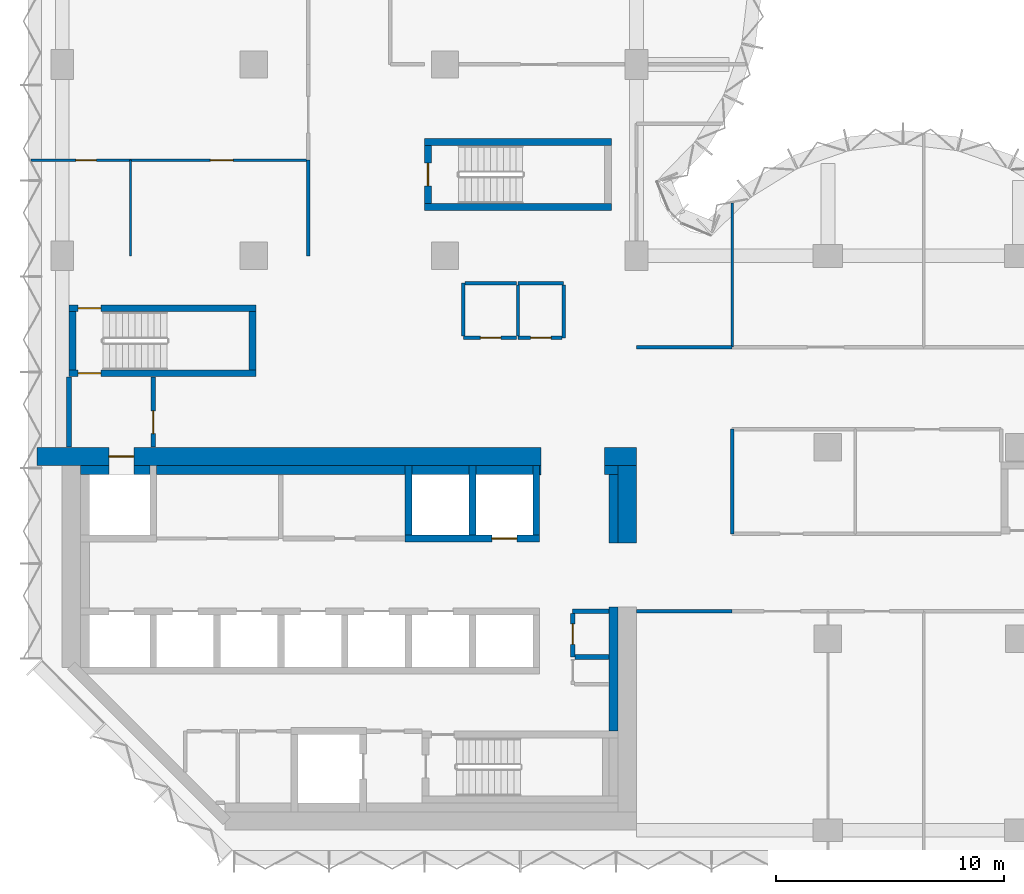
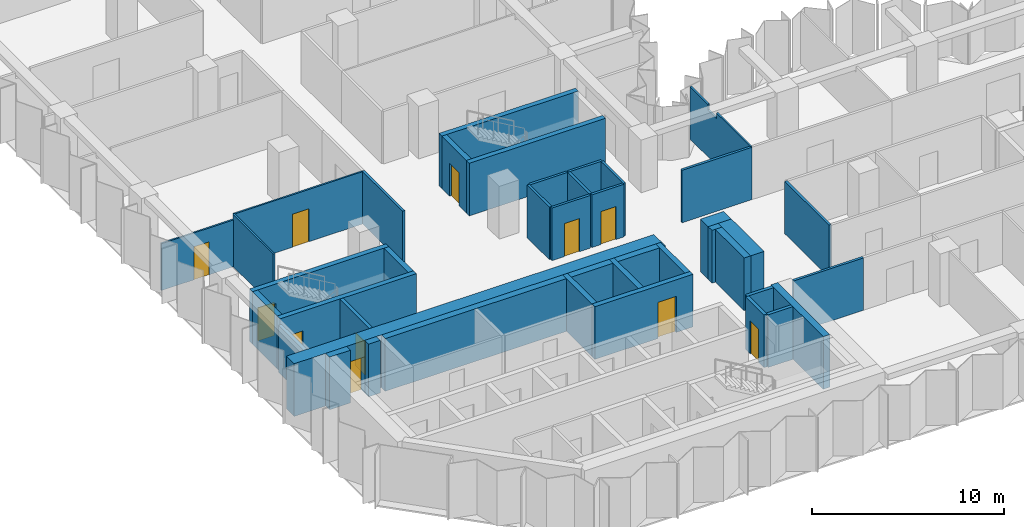
# One storey, part 8 of 13: 43 walls, 11 doors, 11 openings.
"""IFC4 building model written with IfcOpenShell, lengths in metres."""

from ifc_helpers import new_model, si_unit, direction, frame, frame_2d, origin, place, context, subcontext, project, spatial, polyline, rectangle, outline, extrude, material, layer, layer_set, type_object, element, fill, save


model = new_model("IFC4")

# Units and contexts
model_context = context("Model", 3, precision=1e-05, world=origin(), true_north=direction((0.0, 1.0)))
body_context = subcontext(model_context, "Body", "Model", "MODEL_VIEW")
ifc_project = project(units=[si_unit("LENGTHUNIT", "METRE"), si_unit("AREAUNIT", "SQUARE_METRE"), si_unit("VOLUMEUNIT", "CUBIC_METRE"), si_unit("PLANEANGLEUNIT", "RADIAN"), si_unit("MASSUNIT", "GRAM", prefix="KILO")], contexts=[model_context])

# Site, building, storey
site_placement = place(None, origin())
site = spatial("IfcSite", under=ifc_project, at=site_placement, CompositionType="ELEMENT")
building_placement = place(site_placement, origin())
building = spatial("IfcBuilding", under=site, at=building_placement, Name="Brevane Broadcast Tower", CompositionType="ELEMENT")
storey_placement = place(building_placement, frame((0.0, 0.0, 98.89990234375)))
storey = spatial("IfcBuildingStorey", under=building, at=storey_placement, Name="L23", CompositionType="ELEMENT", Elevation=98.89990234375)

# Walls
ifc_material_1 = material(Name="Concrete C32/40", Category="concrete")
ifc_layer_1 = layer(ifc_material_1, 0.39990234375)
ifc_layer_set_1 = layer_set([ifc_layer_1], Name="Core chase wall 400 mm")
wall_type_1 = type_object("IfcWallType", Name="Core chase wall 400 mm", PredefinedType="PARTITIONING", material=ifc_layer_set_1)
wall_1_placement = place(storey_placement, frame((24.199951171875, 12.60009765625, 0.0), z_axis=(0.0, 0.0, 1.0), x_axis=(0.0, 1.0, 0.0)))
element("IfcWall", 1, at=wall_1_placement, inside=storey, type_object=wall_type_1, Name="L23 chase wall LE2", PredefinedType="PARTITIONING", context=body_context, shape_type="SweptSolid", body=[
    extrude(rectangle(XDim=3.0, YDim=0.39990234375, at=frame_2d((1.5, 0.0))), origin(), (0.0, 0.0, 1.0), 3.35009765625),
])
wall_2_placement = place(storey_placement, frame((0.800048828125, 15.800048828125, 0.0), z_axis=(0.0, 0.0, 1.0), x_axis=(1.0, 0.0, 0.0)))
element("IfcWall", 2, at=wall_2_placement, inside=storey, type_object=wall_type_1, Name="L23 chase wall LN0", PredefinedType="PARTITIONING", context=body_context, shape_type="SweptSolid", body=[
    extrude(rectangle(XDim=1.25, YDim=0.39990234375, at=frame_2d((0.625, 0.0))), origin(), (0.0, 0.0, 1.0), 3.35009765625),
])
wall_3_placement = place(storey_placement, frame((23.800048828125, 15.800048828125, 0.0), z_axis=(0.0, 0.0, 1.0), x_axis=(1.0, 0.0, 0.0)))
element("IfcWall", 3, at=wall_3_placement, inside=storey, type_object=wall_type_1, Name="L23 chase wall LN2", PredefinedType="PARTITIONING", context=body_context, shape_type="SweptSolid", body=[
    extrude(rectangle(XDim=0.599853515625, YDim=0.39990234375, at=frame_2d((0.2998046875, 0.0))), origin(), (0.0, 0.0, 1.0), 3.35009765625),
])
wall_4_placement = place(storey_placement, frame((3.14990234375, 15.800048828125, 0.0), z_axis=(0.0, 0.0, 1.0), x_axis=(1.0, 0.0, 0.0)))
element("IfcWall", 4, at=wall_4_placement, inside=storey, type_object=wall_type_1, Name="L23 chase wall LN1-1", PredefinedType="PARTITIONING", context=body_context, shape_type="SweptSolid", body=[
    extrude(rectangle(XDim=0.7001953125, YDim=0.39990234375, at=frame_2d((0.35009765625, 0.0))), origin(), (0.0, 0.0, 1.0), 3.35009765625),
])
wall_5_placement = place(storey_placement, frame((4.14990234375, 15.800048828125, 0.0), z_axis=(0.0, 0.0, 1.0), x_axis=(1.0, 0.0, 0.0)))
element("IfcWall", 5, at=wall_5_placement, inside=storey, type_object=wall_type_1, Name="L23 chase wall LN1-2-1", PredefinedType="PARTITIONING", context=body_context, shape_type="SweptSolid", body=[
    extrude(rectangle(XDim=10.900146484375, YDim=0.39990234375, at=frame_2d((5.4501953125, 0.0))), origin(), (0.0, 0.0, 1.0), 3.35009765625),
])
for number, where, z_axis, x_axis, name in (
    (6, (15.35009765625, 15.800048828125, 0.0), (0.0, 0.0, 1.0), (1.0, 0.0, 0.0), "L23 chase wall LN1-2-2-1"),
    (7, (18.14990234375, 15.800048828125, 0.0), (0.0, 0.0, 1.0), (1.0, 0.0, 0.0), "L23 chase wall LN1-2-2-2-1"),
):
    element("IfcWall", number, at=place(storey_placement, frame(where, z_axis=z_axis, x_axis=x_axis)), inside=storey, type_object=wall_type_1, Name=name, PredefinedType="PARTITIONING", context=body_context, shape_type="SweptSolid", body=[
        extrude(rectangle(XDim=2.5, YDim=0.39990234375, at=frame_2d((1.25, 0.0))), origin(), (0.0, 0.0, 1.0), 3.35009765625),
    ])
wall_6_placement = place(storey_placement, frame((20.949951171875, 15.800048828125, 0.0), z_axis=(0.0, 0.0, 1.0), x_axis=(1.0, 0.0, 0.0)))
element("IfcWall", 8, at=wall_6_placement, inside=storey, type_object=wall_type_1, Name="L23 chase wall LN1-2-2-2-2", PredefinedType="PARTITIONING", context=body_context, shape_type="SweptSolid", body=[
    extrude(rectangle(XDim=0.050048828125, YDim=0.39990234375, at=frame_2d((0.02490234375, 0.0))), origin(), (0.0, 0.0, 1.0), 3.35009765625),
])
wall_7_placement = place(storey_placement, frame((24.199951171875, 4.35009765625, 0.0), z_axis=(0.0, 0.0, 1.0), x_axis=(0.0, 1.0, 0.0)))
element("IfcWall", 9, at=wall_7_placement, inside=storey, type_object=wall_type_1, Name="L23 chase wall LE1-2-2", PredefinedType="PARTITIONING", context=body_context, shape_type="SweptSolid", body=[
    extrude(rectangle(XDim=5.449951171875, YDim=0.39990234375, at=frame_2d((2.72509765625, 0.0))), origin(), (0.0, 0.0, 1.0), 3.35009765625),
])
ifc_material_2 = material(Name="Gypsum board on steel studs", Category="steel")
ifc_layer_2 = layer(ifc_material_2, 0.14990234375)
ifc_layer_set_2 = layer_set([ifc_layer_2], Name="Core fire partition 150 mm")
wall_type_2 = type_object("IfcWallType", Name="Core fire partition 150 mm", PredefinedType="PARTITIONING", material=ifc_layer_set_2)
wall_8_placement = place(storey_placement, frame((20.0, 24.0, 0.0), z_axis=(0.0, 0.0, 1.0), x_axis=(1.0, 0.0, 0.0)))
element("IfcWall", 10, at=wall_8_placement, inside=storey, type_object=wall_type_2, Name="L23 partition wall P15", PredefinedType="PARTITIONING", context=body_context, shape_type="SweptSolid", body=[
    extrude(rectangle(XDim=2.0, YDim=0.14990234375, at=frame_2d((1.0, 0.0))), origin(), (0.0, 0.0, 1.0), 3.35009765625),
])
wall_9_placement = place(storey_placement, frame((22.0, 23.925048828125, 0.0), z_axis=(0.0, 0.0, 1.0), x_axis=(0.0, -1.0, 0.0)))
element("IfcWall", 11, at=wall_9_placement, inside=storey, type_object=wall_type_2, Name="L23 partition wall P16", PredefinedType="PARTITIONING", context=body_context, shape_type="SweptSolid", body=[
    extrude(rectangle(XDim=2.324951171875, YDim=0.14990234375, at=frame_2d((1.16259765625, 0.0))), origin(), (0.0, 0.0, 1.0), 3.35009765625),
])

# Wall, opening, door
wall_10_placement = place(storey_placement, frame((21.925048828125, 21.60009765625, 0.0), z_axis=(0.0, 0.0, 1.0), x_axis=(-1.0, 0.0, 0.0)))
wall_10 = element("IfcWall", 12, at=wall_10_placement, inside=storey, type_object=wall_type_2, Name="L23 partition wall P17", PredefinedType="PARTITIONING", context=body_context, shape_type="SweptSolid", body=[
    extrude(rectangle(XDim=1.925048828125, YDim=0.14990234375, at=frame_2d((0.96240234375, 0.0))), origin(), (0.0, 0.0, 1.0), 3.35009765625),
])
opening_1_placement = place(wall_10_placement, frame((0.47509765625, 0.0, 0.0)))
opening_1 = element("IfcOpeningElement", 13, at=opening_1_placement, cuts=wall_10, Name="Opening L23-K24", PredefinedType="OPENING", context=body_context, shape_type="SweptSolid", body=[
    extrude(rectangle(XDim=0.89990234375, YDim=2.10009765625, at=frame_2d((0.449951171875, 1.050048828125))), frame((0.0, 0.0849609375, 0.0), z_axis=(0.0, -1.0, 0.0), x_axis=(1.0, 0.0, 0.0)), (0.0, 0.0, 1.0), 0.169921875),
])
ifc_material_3 = material(Name="Timber", Category="wood")
door_type_1 = type_object("IfcDoorType", Name="Toilet door 900 x 2100", OperationType="SINGLE_SWING_LEFT", PredefinedType="DOOR", material=ifc_material_3)
door_1_placement = place(opening_1_placement, origin())
door_1 = element("IfcDoor", 14, at=door_1_placement, inside=storey, type_object=door_type_1, Name="Door L23-K24", OperationType="SINGLE_SWING_RIGHT", OverallHeight=2.10009765625, OverallWidth=0.89990234375, PredefinedType="DOOR", context=body_context, shape_type="SweptSolid", body=[
    extrude(rectangle(XDim=0.89990234375, YDim=2.10009765625, at=frame_2d((0.449951171875, 1.050048828125))), frame((0.0, 0.02490234375, 0.0), z_axis=(0.0, -1.0, 0.0), x_axis=(1.0, 0.0, 0.0)), (0.0, 0.0, 1.0), 0.050048828125),
])
fill(opening_1, door_1)

# Wall
wall_11_placement = place(storey_placement, frame((20.0, 21.675048828125, 0.0), z_axis=(0.0, 0.0, 1.0), x_axis=(0.0, 1.0, 0.0)))
element("IfcWall", 15, at=wall_11_placement, inside=storey, type_object=wall_type_2, Name="L23 partition wall P18", PredefinedType="PARTITIONING", context=body_context, shape_type="SweptSolid", body=[
    extrude(rectangle(XDim=2.25, YDim=0.14990234375, at=frame_2d((1.125, 0.0))), origin(), (0.0, 0.0, 1.0), 3.35009765625),
])

# Wall, opening, door
wall_12_placement = place(storey_placement, frame((19.925048828125, 21.60009765625, 0.0), z_axis=(0.0, 0.0, 1.0), x_axis=(-1.0, 0.0, 0.0)))
wall_12 = element("IfcWall", 16, at=wall_12_placement, inside=storey, type_object=wall_type_2, Name="L23 partition wall P19", PredefinedType="PARTITIONING", context=body_context, shape_type="SweptSolid", body=[
    extrude(rectangle(XDim=2.324951171875, YDim=0.14990234375, at=frame_2d((1.16259765625, 0.0))), origin(), (0.0, 0.0, 1.0), 3.35009765625),
])
opening_2_placement = place(wall_12_placement, frame((0.675048828125, 0.0, 0.0)))
opening_2 = element("IfcOpeningElement", 17, at=opening_2_placement, cuts=wall_12, Name="Opening L23-K25", PredefinedType="OPENING", context=body_context, shape_type="SweptSolid", body=[
    extrude(rectangle(XDim=0.89990234375, YDim=2.10009765625, at=frame_2d((0.449951171875, 1.050048828125))), frame((0.0, 0.0849609375, 0.0), z_axis=(0.0, -1.0, 0.0), x_axis=(1.0, 0.0, 0.0)), (0.0, 0.0, 1.0), 0.169921875),
])
ifc_material_4 = material(Name="Steel", Category="steel")
door_type_2 = type_object("IfcDoorType", Name="Service room door 900 x 2100", OperationType="SINGLE_SWING_LEFT", PredefinedType="DOOR", material=ifc_material_4)
door_2_placement = place(opening_2_placement, origin())
door_2 = element("IfcDoor", 18, at=door_2_placement, inside=storey, type_object=door_type_2, Name="Door L23-K25", OperationType="SINGLE_SWING_LEFT", OverallHeight=2.10009765625, OverallWidth=0.89990234375, PredefinedType="DOOR", context=body_context, shape_type="SweptSolid", body=[
    extrude(rectangle(XDim=0.89990234375, YDim=2.10009765625, at=frame_2d((0.449951171875, 1.050048828125))), frame((0.0, 0.02490234375, 0.0), z_axis=(0.0, -1.0, 0.0), x_axis=(1.0, 0.0, 0.0)), (0.0, 0.0, 1.0), 0.050048828125),
])
fill(opening_2, door_2)

# Walls
wall_13_placement = place(storey_placement, frame((17.60009765625, 21.675048828125, 0.0), z_axis=(0.0, 0.0, 1.0), x_axis=(0.0, 1.0, 0.0)))
element("IfcWall", 19, at=wall_13_placement, inside=storey, type_object=wall_type_2, Name="L23 partition wall P20", PredefinedType="PARTITIONING", context=body_context, shape_type="SweptSolid", body=[
    extrude(rectangle(XDim=2.324951171875, YDim=0.14990234375, at=frame_2d((1.16259765625, 0.0))), origin(), (0.0, 0.0, 1.0), 3.35009765625),
])
wall_14_placement = place(storey_placement, frame((17.675048828125, 24.0, 0.0), z_axis=(0.0, 0.0, 1.0), x_axis=(1.0, 0.0, 0.0)))
element("IfcWall", 20, at=wall_14_placement, inside=storey, type_object=wall_type_2, Name="L23 partition wall P21", PredefinedType="PARTITIONING", context=body_context, shape_type="SweptSolid", body=[
    extrude(rectangle(XDim=2.25, YDim=0.14990234375, at=frame_2d((1.125, 0.0))), origin(), (0.0, 0.0, 1.0), 3.35009765625),
])
ifc_layer_3 = layer(ifc_material_2, 0.199951171875)
ifc_layer_set_3 = layer_set([ifc_layer_3], Name="Core fire partition 200 mm")
wall_type_3 = type_object("IfcWallType", Name="Core fire partition 200 mm", PredefinedType="PARTITIONING", material=ifc_layer_set_3)
wall_15_placement = place(storey_placement, frame((0.300048828125, 16.81201171875, 0.0), z_axis=(0.0, 0.0, 1.0), x_axis=(0.0, 1.0, 0.0)))
element("IfcWall", 21, at=wall_15_placement, inside=storey, type_object=wall_type_3, Name="L23 partition wall P01", PredefinedType="PARTITIONING", context=body_context, shape_type="SweptSolid", body=[
    extrude(rectangle(XDim=3.075927734375, YDim=0.199951171875, at=frame_2d((1.5380859375, 0.0))), origin(), (0.0, 0.0, 1.0), 2.97998046875),
])

# Wall, opening, door
wall_16_placement = place(storey_placement, frame((4.0, 19.887939453125, 0.0), z_axis=(0.0, 0.0, 1.0), x_axis=(0.0, -1.0, 0.0)))
wall_16 = element("IfcWall", 22, at=wall_16_placement, inside=storey, type_object=wall_type_3, Name="L23 partition wall P02", PredefinedType="PARTITIONING", context=body_context, shape_type="SweptSolid", body=[
    extrude(rectangle(XDim=3.075927734375, YDim=0.199951171875, at=frame_2d((1.5380859375, 0.0))), origin(), (0.0, 0.0, 1.0), 3.35009765625),
])
opening_3_placement = place(wall_16_placement, frame((1.488037109375, 0.0, 0.0)))
opening_3 = element("IfcOpeningElement", 23, at=opening_3_placement, cuts=wall_16, Name="Opening L23-K23", PredefinedType="OPENING", context=body_context, shape_type="SweptSolid", body=[
    extrude(rectangle(XDim=1.0, YDim=2.10009765625, at=frame_2d((0.5, 1.050048828125))), frame((0.0, 0.10986328125, 0.0), z_axis=(0.0, -1.0, 0.0), x_axis=(1.0, 0.0, 0.0)), (0.0, 0.0, 1.0), 0.219970703125),
])
door_type_3 = type_object("IfcDoorType", Name="Stair door 1000 x 2100", OperationType="SINGLE_SWING_LEFT", PredefinedType="DOOR", material=ifc_material_4)
door_3_placement = place(opening_3_placement, origin())
door_3 = element("IfcDoor", 24, at=door_3_placement, inside=storey, type_object=door_type_3, Name="Door L23-K23", OperationType="SINGLE_SWING_LEFT", OverallHeight=2.10009765625, OverallWidth=1.0, PredefinedType="DOOR", context=body_context, shape_type="SweptSolid", body=[
    extrude(rectangle(XDim=1.0, YDim=2.10009765625, at=frame_2d((0.5, 1.050048828125))), frame((0.0, 0.02490234375, 0.0), z_axis=(0.0, -1.0, 0.0), x_axis=(1.0, 0.0, 0.0)), (0.0, 0.0, 1.0), 0.050048828125),
])
fill(opening_3, door_3)

# Wall
wall_17_placement = place(storey_placement, frame((23.988037109375, 9.60009765625, 0.0), z_axis=(0.0, 0.0, 1.0), x_axis=(-1.0, 0.0, 0.0)))
element("IfcWall", 25, at=wall_17_placement, inside=storey, type_object=wall_type_3, Name="L23 partition wall P06", PredefinedType="PARTITIONING", context=body_context, shape_type="SweptSolid", body=[
    extrude(rectangle(XDim=1.588134765625, YDim=0.199951171875, at=frame_2d((0.7939453125, 0.0))), origin(), (0.0, 0.0, 1.0), 3.35009765625),
])

# Wall, opening, door
wall_18_placement = place(storey_placement, frame((22.39990234375, 9.5, 0.0), z_axis=(0.0, 0.0, 1.0), x_axis=(0.0, -1.0, 0.0)))
wall_18 = element("IfcWall", 26, at=wall_18_placement, inside=storey, type_object=wall_type_3, Name="L23 partition wall P07", PredefinedType="PARTITIONING", context=body_context, shape_type="SweptSolid", body=[
    extrude(rectangle(XDim=1.89990234375, YDim=0.199951171875, at=frame_2d((0.949951171875, 0.0))), origin(), (0.0, 0.0, 1.0), 3.35009765625),
])
opening_4_placement = place(wall_18_placement, frame((0.449951171875, 0.0, 0.0)))
opening_4 = element("IfcOpeningElement", 27, at=opening_4_placement, cuts=wall_18, Name="Opening L23-K20", PredefinedType="OPENING", context=body_context, shape_type="SweptSolid", body=[
    extrude(rectangle(XDim=0.89990234375, YDim=2.10009765625, at=frame_2d((0.449951171875, 1.050048828125))), frame((0.0, 0.10986328125, 0.0), z_axis=(0.0, -1.0, 0.0), x_axis=(1.0, 0.0, 0.0)), (0.0, 0.0, 1.0), 0.219970703125),
])
door_4_placement = place(opening_4_placement, origin())
door_4 = element("IfcDoor", 28, at=door_4_placement, inside=storey, type_object=door_type_2, Name="Door L23-K20", OperationType="SINGLE_SWING_RIGHT", OverallHeight=2.10009765625, OverallWidth=0.89990234375, PredefinedType="DOOR", context=body_context, shape_type="SweptSolid", body=[
    extrude(rectangle(XDim=0.89990234375, YDim=2.10009765625, at=frame_2d((0.449951171875, 1.050048828125))), frame((0.0, 0.02490234375, 0.0), z_axis=(0.0, -1.0, 0.0), x_axis=(1.0, 0.0, 0.0)), (0.0, 0.0, 1.0), 0.050048828125),
])
fill(opening_4, door_4)

# Wall
wall_19_placement = place(storey_placement, frame((22.5, 7.60009765625, 0.0), z_axis=(0.0, 0.0, 1.0), x_axis=(1.0, 0.0, 0.0)))
element("IfcWall", 29, at=wall_19_placement, inside=storey, type_object=wall_type_3, Name="L23 partition wall P08", PredefinedType="PARTITIONING", context=body_context, shape_type="SweptSolid", body=[
    extrude(rectangle(XDim=1.488037109375, YDim=0.199951171875, at=frame_2d((0.744140625, 0.0))), origin(), (0.0, 0.0, 1.0), 3.35009765625),
])

# Wall, opening, door
ifc_material_5 = material(Name="Concrete C60/75", Category="concrete")
ifc_layer_4 = layer(ifc_material_5, 0.300048828125)
ifc_layer_set_4 = layer_set([ifc_layer_4], Name="Core wall 300 mm C60/75")
wall_type_4 = type_object("IfcWallType", Name="Core wall 300 mm C60/75", PredefinedType="SHEAR", material=ifc_layer_set_4)
wall_20_placement = place(storey_placement, frame((15.050048828125, 12.800048828125, 0.0), z_axis=(0.0, 0.0, 1.0), x_axis=(1.0, 0.0, 0.0)))
wall_20 = element("IfcWall", 30, at=wall_20_placement, inside=storey, type_object=wall_type_4, Name="L23 shaft wall SH-N152-front", PredefinedType="SHEAR", context=body_context, shape_type="SweptSolid", body=[
    extrude(rectangle(XDim=5.89990234375, YDim=0.300048828125, at=frame_2d((2.949951171875, 0.0))), origin(), (0.0, 0.0, 1.0), 3.35009765625),
])
opening_5_placement = place(wall_20_placement, frame((3.800048828125, 0.0, 0.0)))
opening_5 = element("IfcOpeningElement", 31, at=opening_5_placement, cuts=wall_20, Name="Opening LD", PredefinedType="OPENING", context=body_context, shape_type="SweptSolid", body=[
    extrude(rectangle(XDim=1.10009765625, YDim=2.300048828125, at=frame_2d((0.550048828125, 1.14990234375))), frame((0.0, 0.159912109375, 0.0), z_axis=(0.0, -1.0, 0.0), x_axis=(1.0, 0.0, 0.0)), (0.0, 0.0, 1.0), 0.320068359375),
])
ifc_material_6 = material(Name="Stainless steel", Category="steel")
door_type_4 = type_object("IfcDoorType", Name="Lift landing door", OperationType="SLIDING_TO_LEFT", PredefinedType="DOOR", material=ifc_material_6)
door_5_placement = place(opening_5_placement, origin())
door_5 = element("IfcDoor", 32, at=door_5_placement, inside=storey, type_object=door_type_4, Name="Landing door SL1 L23", OperationType="SLIDING_TO_LEFT", OverallHeight=2.300048828125, OverallWidth=1.10009765625, PredefinedType="DOOR", context=body_context, shape_type="SweptSolid", body=[
    extrude(rectangle(XDim=1.10009765625, YDim=2.300048828125, at=frame_2d((0.550048828125, 1.14990234375))), frame((0.0, 0.02490234375, 0.0), z_axis=(0.0, -1.0, 0.0), x_axis=(1.0, 0.0, 0.0)), (0.0, 0.0, 1.0), 0.050048828125),
])
fill(opening_5, door_5)

# Walls
for number, where, z_axis, x_axis, name in (
    (33, (15.199951171875, 12.949951171875, 0.0), (0.0, 0.0, 1.0), (0.0, 1.0, 0.0), "L23 shaft wall SH-N-P152"),
    (34, (18.0, 12.949951171875, 0.0), (0.0, 0.0, 1.0), (0.0, 1.0, 0.0), "L23 shaft wall SH-N-P180"),
    (35, (20.800048828125, 12.949951171875, 0.0), (0.0, 0.0, 1.0), (0.0, 1.0, 0.0), "L23 shaft wall SH-N-P208"),
):
    element("IfcWall", number, at=place(storey_placement, frame(where, z_axis=z_axis, x_axis=x_axis)), inside=storey, type_object=wall_type_4, Name=name, PredefinedType="SHEAR", context=body_context, shape_type="SweptSolid", body=[
        extrude(rectangle(XDim=3.050048828125, YDim=0.300048828125, at=frame_2d((1.52490234375, 0.0))), origin(), (0.0, 0.0, 1.0), 3.35009765625),
    ])

# Wall, opening, door
wall_21_placement = place(storey_placement, frame((8.5, 20.050048828125, 0.0), z_axis=(0.0, 0.0, 1.0), x_axis=(-1.0, 0.0, 0.0)))
wall_21 = element("IfcWall", 36, at=wall_21_placement, inside=storey, type_object=wall_type_4, Name="L23 stair wall ST-1-S", PredefinedType="SHEAR", context=body_context, shape_type="SweptSolid", body=[
    extrude(rectangle(XDim=8.199951171875, YDim=0.300048828125, at=frame_2d((4.10009765625, 0.0))), origin(), (0.0, 0.0, 1.0), 3.35009765625),
])
opening_6_placement = place(wall_21_placement, frame((6.800048828125, 0.0, 0.0)))
opening_6 = element("IfcOpeningElement", 37, at=opening_6_placement, cuts=wall_21, Name="Opening L23-K10", PredefinedType="OPENING", context=body_context, shape_type="SweptSolid", body=[
    extrude(rectangle(XDim=1.0, YDim=2.10009765625, at=frame_2d((0.5, 1.050048828125))), frame((0.0, 0.159912109375, 0.0), z_axis=(0.0, -1.0, 0.0), x_axis=(1.0, 0.0, 0.0)), (0.0, 0.0, 1.0), 0.320068359375),
])
door_6_placement = place(opening_6_placement, origin())
door_6 = element("IfcDoor", 38, at=door_6_placement, inside=storey, type_object=door_type_3, Name="Door L23-K10", OperationType="SINGLE_SWING_RIGHT", OverallHeight=2.10009765625, OverallWidth=1.0, PredefinedType="DOOR", context=body_context, shape_type="SweptSolid", body=[
    extrude(rectangle(XDim=1.0, YDim=2.10009765625, at=frame_2d((0.5, 1.050048828125))), frame((0.0, 0.02490234375, 0.0), z_axis=(0.0, -1.0, 0.0), x_axis=(1.0, 0.0, 0.0)), (0.0, 0.0, 1.0), 0.050048828125),
])
fill(opening_6, door_6)

wall_22_placement = place(storey_placement, frame((0.300048828125, 22.89990234375, 0.0), z_axis=(0.0, 0.0, 1.0), x_axis=(1.0, 0.0, 0.0)))
wall_22 = element("IfcWall", 39, at=wall_22_placement, inside=storey, type_object=wall_type_4, Name="L23 stair wall ST-1-N", PredefinedType="SHEAR", context=body_context, shape_type="SweptSolid", body=[
    extrude(rectangle(XDim=8.199951171875, YDim=0.300048828125, at=frame_2d((4.10009765625, 0.0))), origin(), (0.0, 0.0, 1.0), 3.35009765625),
])
opening_7_placement = place(wall_22_placement, frame((0.39990234375, 0.0, 0.0)))
opening_7 = element("IfcOpeningElement", 40, at=opening_7_placement, cuts=wall_22, Name="Opening L23-K11", PredefinedType="OPENING", context=body_context, shape_type="SweptSolid", body=[
    extrude(rectangle(XDim=1.0, YDim=2.10009765625, at=frame_2d((0.5, 1.050048828125))), frame((0.0, 0.159912109375, 0.0), z_axis=(0.0, -1.0, 0.0), x_axis=(1.0, 0.0, 0.0)), (0.0, 0.0, 1.0), 0.320068359375),
])
door_7_placement = place(opening_7_placement, origin())
door_7 = element("IfcDoor", 41, at=door_7_placement, inside=storey, type_object=door_type_3, Name="Door L23-K11", OperationType="SINGLE_SWING_LEFT", OverallHeight=2.10009765625, OverallWidth=1.0, PredefinedType="DOOR", context=body_context, shape_type="SweptSolid", body=[
    extrude(rectangle(XDim=1.0, YDim=2.10009765625, at=frame_2d((0.5, 1.050048828125))), frame((0.0, 0.02490234375, 0.0), z_axis=(0.0, -1.0, 0.0), x_axis=(1.0, 0.0, 0.0)), (0.0, 0.0, 1.0), 0.050048828125),
])
fill(opening_7, door_7)

# Walls
for number, where, z_axis, x_axis, name in (
    (42, (0.449951171875, 20.199951171875, 0.0), (0.0, 0.0, 1.0), (0.0, 1.0, 0.0), "L23 stair wall ST-1-W"),
    (43, (8.35009765625, 20.199951171875, 0.0), (0.0, 0.0, 1.0), (0.0, 1.0, 0.0), "L23 stair wall ST-1-E"),
):
    element("IfcWall", number, at=place(storey_placement, frame(where, z_axis=z_axis, x_axis=x_axis)), inside=storey, type_object=wall_type_4, Name=name, PredefinedType="SHEAR", context=body_context, shape_type="SweptSolid", body=[
        extrude(rectangle(XDim=2.550048828125, YDim=0.300048828125, at=frame_2d((1.27490234375, 0.0))), origin(), (0.0, 0.0, 1.0), 3.35009765625),
    ])
for number, where, z_axis, x_axis, name in (
    (44, (15.89990234375, 27.35009765625, 0.0), (0.0, 0.0, 1.0), (1.0, 0.0, 0.0), "L23 stair wall ST-3-S"),
    (45, (15.89990234375, 30.199951171875, 0.0), (0.0, 0.0, 1.0), (1.0, 0.0, 0.0), "L23 stair wall ST-3-N"),
):
    element("IfcWall", number, at=place(storey_placement, frame(where, z_axis=z_axis, x_axis=x_axis)), inside=storey, type_object=wall_type_4, Name=name, PredefinedType="SHEAR", context=body_context, shape_type="SweptSolid", body=[
        extrude(rectangle(XDim=8.2001953125, YDim=0.300048828125, at=frame_2d((4.10009765625, 0.0))), origin(), (0.0, 0.0, 1.0), 3.35009765625),
    ])

# Wall, opening, door
wall_23_placement = place(storey_placement, frame((16.050048828125, 27.5, 0.0), z_axis=(0.0, 0.0, 1.0), x_axis=(0.0, 1.0, 0.0)))
wall_23 = element("IfcWall", 46, at=wall_23_placement, inside=storey, type_object=wall_type_4, Name="L23 stair wall ST-3-W", PredefinedType="SHEAR", context=body_context, shape_type="SweptSolid", body=[
    extrude(rectangle(XDim=2.550048828125, YDim=0.300048828125, at=frame_2d((1.27490234375, 0.0))), origin(), (0.0, 0.0, 1.0), 3.35009765625),
])
opening_8_placement = place(wall_23_placement, frame((0.77490234375, 0.0, 0.0)))
opening_8 = element("IfcOpeningElement", 47, at=opening_8_placement, cuts=wall_23, Name="Opening L23-K14", PredefinedType="OPENING", context=body_context, shape_type="SweptSolid", body=[
    extrude(rectangle(XDim=1.0, YDim=2.10009765625, at=frame_2d((0.5, 1.050048828125))), frame((0.0, 0.159912109375, 0.0), z_axis=(0.0, -1.0, 0.0), x_axis=(1.0, 0.0, 0.0)), (0.0, 0.0, 1.0), 0.320068359375),
])
door_8_placement = place(opening_8_placement, origin())
door_8 = element("IfcDoor", 48, at=door_8_placement, inside=storey, type_object=door_type_3, Name="Door L23-K14", OperationType="SINGLE_SWING_RIGHT", OverallHeight=2.10009765625, OverallWidth=1.0, PredefinedType="DOOR", context=body_context, shape_type="SweptSolid", body=[
    extrude(rectangle(XDim=1.0, YDim=2.10009765625, at=frame_2d((0.5, 1.050048828125))), frame((0.0, 0.02490234375, 0.0), z_axis=(0.0, -1.0, 0.0), x_axis=(1.0, 0.0, 0.0)), (0.0, 0.0, 1.0), 0.050048828125),
])
fill(opening_8, door_8)

ifc_layer_5 = layer(ifc_material_5, 0.800048828125)
ifc_layer_set_5 = layer_set([ifc_layer_5], Name="Core wall 800 mm C60/75")
wall_type_5 = type_object("IfcWallType", Name="Core wall 800 mm C60/75", PredefinedType="SHEAR", material=ifc_layer_set_5)
wall_24_placement = place(storey_placement, frame((-1.10009765625, 16.39990234375, 0.0), z_axis=(0.0, 0.0, 1.0), x_axis=(1.0, 0.0, 0.0)))
wall_24 = element("IfcWall", 49, at=wall_24_placement, inside=storey, type_object=wall_type_5, Name="L23 outer wall WN1", PredefinedType="SHEAR", context=body_context, shape_type="SweptSolid", body=[
    extrude(rectangle(XDim=22.10009765625, YDim=0.800048828125, at=frame_2d((11.050048828125, 0.0))), origin(), (0.0, 0.0, 1.0), 3.35009765625),
])
opening_9_placement = place(wall_24_placement, frame((3.14990234375, 0.0, 0.0)))
opening_9 = element("IfcOpeningElement", 50, at=opening_9_placement, cuts=wall_24, Name="Opening LD", PredefinedType="OPENING", context=body_context, shape_type="SweptSolid", body=[
    extrude(rectangle(XDim=1.10009765625, YDim=2.300048828125, at=frame_2d((0.550048828125, 1.14990234375))), frame((0.0, 0.409912109375, 0.0), z_axis=(0.0, -1.0, 0.0), x_axis=(1.0, 0.0, 0.0)), (0.0, 0.0, 1.0), 0.820068359375),
])
door_9_placement = place(opening_9_placement, origin())
door_9 = element("IfcDoor", 51, at=door_9_placement, inside=storey, type_object=door_type_4, Name="Landing door FF1 L23", OperationType="SLIDING_TO_LEFT", OverallHeight=2.300048828125, OverallWidth=1.10009765625, PredefinedType="DOOR", context=body_context, shape_type="SweptSolid", body=[
    extrude(rectangle(XDim=1.10009765625, YDim=2.300048828125, at=frame_2d((0.550048828125, 1.14990234375))), frame((0.0, 0.02490234375, 0.0), z_axis=(0.0, -1.0, 0.0), x_axis=(1.0, 0.0, 0.0)), (0.0, 0.0, 1.0), 0.050048828125),
])
fill(opening_9, door_9)

# Walls
wall_25_placement = place(storey_placement, frame((23.800048828125, 16.39990234375, 0.0), z_axis=(0.0, 0.0, 1.0), x_axis=(1.0, 0.0, 0.0)))
element("IfcWall", 52, at=wall_25_placement, inside=storey, type_object=wall_type_5, Name="L23 outer wall WN2", PredefinedType="SHEAR", context=body_context, shape_type="SweptSolid", body=[
    extrude(rectangle(XDim=1.39990234375, YDim=0.800048828125, at=frame_2d((0.699951171875, 0.0))), origin(), (0.0, 0.0, 1.0), 3.35009765625),
])
wall_26_placement = place(storey_placement, frame((24.800048828125, 12.60009765625, 0.0), z_axis=(0.0, 0.0, 1.0), x_axis=(0.0, 1.0, 0.0)))
element("IfcWall", 53, at=wall_26_placement, inside=storey, type_object=wall_type_5, Name="L23 outer wall WE2", PredefinedType="SHEAR", context=body_context, shape_type="SweptSolid", body=[
    extrude(rectangle(XDim=3.39990234375, YDim=0.800048828125, at=frame_2d((1.699951171875, 0.0))), origin(), (0.0, 0.0, 1.0), 3.35009765625),
])
ifc_material_7 = material(Name="Gypsum board partition")
ifc_layer_6 = layer(ifc_material_7, 0.10009765625)
ifc_layer_set_6 = layer_set([ifc_layer_6], Name="PARTITION 100 STUD")
wall_type_6 = type_object("IfcWallType", Name="PARTITION 100 STUD", PredefinedType="PARTITIONING", material=ifc_layer_set_6)
wall_27_placement = place(storey_placement, frame((29.39990234375, 27.510986328125, 0.0), z_axis=(0.0, 0.0, 1.0), x_axis=(0.0, -1.0, 0.0)))
element("IfcWall", 54, at=wall_27_placement, inside=storey, type_object=wall_type_6, Name="Partition G06-004", PredefinedType="PARTITIONING", context=body_context, shape_type="SweptSolid", body=[
    extrude(outline(polyline([(0.0, 0.0), (6.31103515625, 0.0), (6.31103515625, 3.330078125), (2.760986328125, 3.330078125), (2.759033203125, 2.97998046875), (1.863037109375, 2.97998046875), (1.861083984375, 3.330078125), (0.236083984375, 3.330078125), (0.0, 3.330078125), (0.0, 0.0)])), frame((0.0, 0.050048828125, 0.0), z_axis=(0.0, -1.0, 0.0), x_axis=(1.0, 0.0, 0.0)), (0.0, 0.0, 1.0), 0.10009765625),
])

# Wall, opening, door
wall_28_placement = place(storey_placement, frame((3.0, 29.39990234375, 0.0), z_axis=(0.0, 0.0, 1.0), x_axis=(-1.0, 0.0, 0.0)))
wall_28 = element("IfcWall", 55, at=wall_28_placement, inside=storey, type_object=wall_type_6, Name="Partition G06-052", PredefinedType="PARTITIONING", context=body_context, shape_type="SweptSolid", body=[
    extrude(rectangle(XDim=4.364990234375, YDim=0.10009765625, at=frame_2d((2.1826171875, 0.0))), origin(), (0.0, 0.0, 1.0), 2.97998046875),
])
opening_10_placement = place(wall_28_placement, frame((1.5, 0.0, 0.0)))
opening_10 = element("IfcOpeningElement", 56, at=opening_10_placement, cuts=wall_28, Name="Opening D13-013", PredefinedType="OPENING", context=body_context, shape_type="SweptSolid", body=[
    extrude(rectangle(XDim=0.89990234375, YDim=2.10009765625, at=frame_2d((0.449951171875, 1.050048828125))), frame((0.0, 0.06005859375, 0.0), z_axis=(0.0, -1.0, 0.0), x_axis=(1.0, 0.0, 0.0)), (0.0, 0.0, 1.0), 0.1201171875),
])
ifc_material_8 = material(Name="Timber door leaf", Category="wood")
door_type_5 = type_object("IfcDoorType", Name="DOOR SINGLE 900 INTERNAL", OperationType="SINGLE_SWING_LEFT", PredefinedType="DOOR", material=ifc_material_8)
door_10_placement = place(opening_10_placement, origin())
door_10 = element("IfcDoor", 57, at=door_10_placement, inside=storey, type_object=door_type_5, Name="Door D13-013", OperationType="SINGLE_SWING_LEFT", OverallHeight=2.10009765625, OverallWidth=0.89990234375, PredefinedType="DOOR", context=body_context, shape_type="SweptSolid", body=[
    extrude(rectangle(XDim=0.89990234375, YDim=2.10009765625, at=frame_2d((0.449951171875, 1.050048828125))), frame((0.0, 0.02490234375, 0.0), z_axis=(0.0, -1.0, 0.0), x_axis=(1.0, 0.0, 0.0)), (0.0, 0.0, 1.0), 0.050048828125),
])
fill(opening_10, door_10)

wall_29_placement = place(storey_placement, frame((10.800048828125, 29.39990234375, 0.0), z_axis=(0.0, 0.0, 1.0), x_axis=(-1.0, 0.0, 0.0)))
wall_29 = element("IfcWall", 58, at=wall_29_placement, inside=storey, type_object=wall_type_6, Name="Partition G06-053", PredefinedType="PARTITIONING", context=body_context, shape_type="SweptSolid", body=[
    extrude(rectangle(XDim=7.800048828125, YDim=0.10009765625, at=frame_2d((3.89990234375, 0.0))), origin(), (0.0, 0.0, 1.0), 3.330078125),
])
opening_11_placement = place(wall_29_placement, frame((3.300048828125, 0.0, 0.0)))
opening_11 = element("IfcOpeningElement", 59, at=opening_11_placement, cuts=wall_29, Name="Opening D13-014", PredefinedType="OPENING", context=body_context, shape_type="SweptSolid", body=[
    extrude(rectangle(XDim=1.0, YDim=2.10009765625, at=frame_2d((0.5, 1.050048828125))), frame((0.0, 0.06005859375, 0.0), z_axis=(0.0, -1.0, 0.0), x_axis=(1.0, 0.0, 0.0)), (0.0, 0.0, 1.0), 0.1201171875),
])
door_type_6 = type_object("IfcDoorType", Name="DOOR SINGLE 1000 INTERNAL", OperationType="SINGLE_SWING_LEFT", PredefinedType="DOOR", material=ifc_material_8)
door_11_placement = place(opening_11_placement, origin())
door_11 = element("IfcDoor", 60, at=door_11_placement, inside=storey, type_object=door_type_6, Name="Door D13-014", OperationType="SINGLE_SWING_LEFT", OverallHeight=2.10009765625, OverallWidth=1.0, PredefinedType="DOOR", context=body_context, shape_type="SweptSolid", body=[
    extrude(rectangle(XDim=1.0, YDim=2.10009765625, at=frame_2d((0.5, 1.050048828125))), frame((0.0, 0.02490234375, 0.0), z_axis=(0.0, -1.0, 0.0), x_axis=(1.0, 0.0, 0.0)), (0.0, 0.0, 1.0), 0.050048828125),
])
fill(opening_11, door_11)

# Walls
wall_30_placement = place(storey_placement, frame((3.0, 29.39990234375, 0.0), z_axis=(0.0, 0.0, 1.0), x_axis=(0.0, -1.0, 0.0)))
element("IfcWall", 61, at=wall_30_placement, inside=storey, type_object=wall_type_6, Name="Partition G06-055", PredefinedType="PARTITIONING", context=body_context, shape_type="SweptSolid", body=[
    extrude(rectangle(XDim=4.199951171875, YDim=0.10009765625, at=frame_2d((2.10009765625, 0.0))), origin(), (0.0, 0.0, 1.0), 3.330078125),
])
ifc_layer_7 = layer(ifc_material_7, 0.14990234375)
ifc_layer_set_7 = layer_set([ifc_layer_7], Name="PARTITION 150 EI 60")
wall_type_7 = type_object("IfcWallType", Name="PARTITION 150 EI 60", PredefinedType="PARTITIONING", material=ifc_layer_set_7)
wall_31_placement = place(storey_placement, frame((25.199951171875, 21.199951171875, 0.0), z_axis=(0.0, 0.0, 1.0), x_axis=(1.0, 0.0, 0.0)))
element("IfcWall", 62, at=wall_31_placement, inside=storey, type_object=wall_type_7, Name="Partition G06-001", PredefinedType="PARTITIONING", context=body_context, shape_type="SweptSolid", body=[
    extrude(rectangle(XDim=4.199951171875, YDim=0.14990234375, at=frame_2d((2.10009765625, 0.0))), origin(), (0.0, 0.0, 1.0), 3.330078125),
])
wall_32_placement = place(storey_placement, frame((29.39990234375, 17.60009765625, 0.0), z_axis=(0.0, 0.0, 1.0), x_axis=(0.0, -1.0, 0.0)))
element("IfcWall", 63, at=wall_32_placement, inside=storey, type_object=wall_type_7, Name="Partition G06-002", PredefinedType="PARTITIONING", context=body_context, shape_type="SweptSolid", body=[
    extrude(rectangle(XDim=4.60009765625, YDim=0.14990234375, at=frame_2d((2.300048828125, 0.0))), origin(), (0.0, 0.0, 1.0), 3.330078125),
])
for number, where, z_axis, x_axis, name in (
    (64, (29.39990234375, 9.60009765625, 0.0), (0.0, 0.0, 1.0), (-1.0, 0.0, 0.0), "Partition G06-003"),
    (65, (10.800048828125, 25.199951171875, 0.0), (0.0, 0.0, 1.0), (0.0, 1.0, 0.0), "Partition G06-032"),
):
    element("IfcWall", number, at=place(storey_placement, frame(where, z_axis=z_axis, x_axis=x_axis)), inside=storey, type_object=wall_type_7, Name=name, PredefinedType="PARTITIONING", context=body_context, shape_type="SweptSolid", body=[
        extrude(rectangle(XDim=4.199951171875, YDim=0.14990234375, at=frame_2d((2.10009765625, 0.0))), origin(), (0.0, 0.0, 1.0), 3.330078125),
    ])

save(model, "model.ifc")
